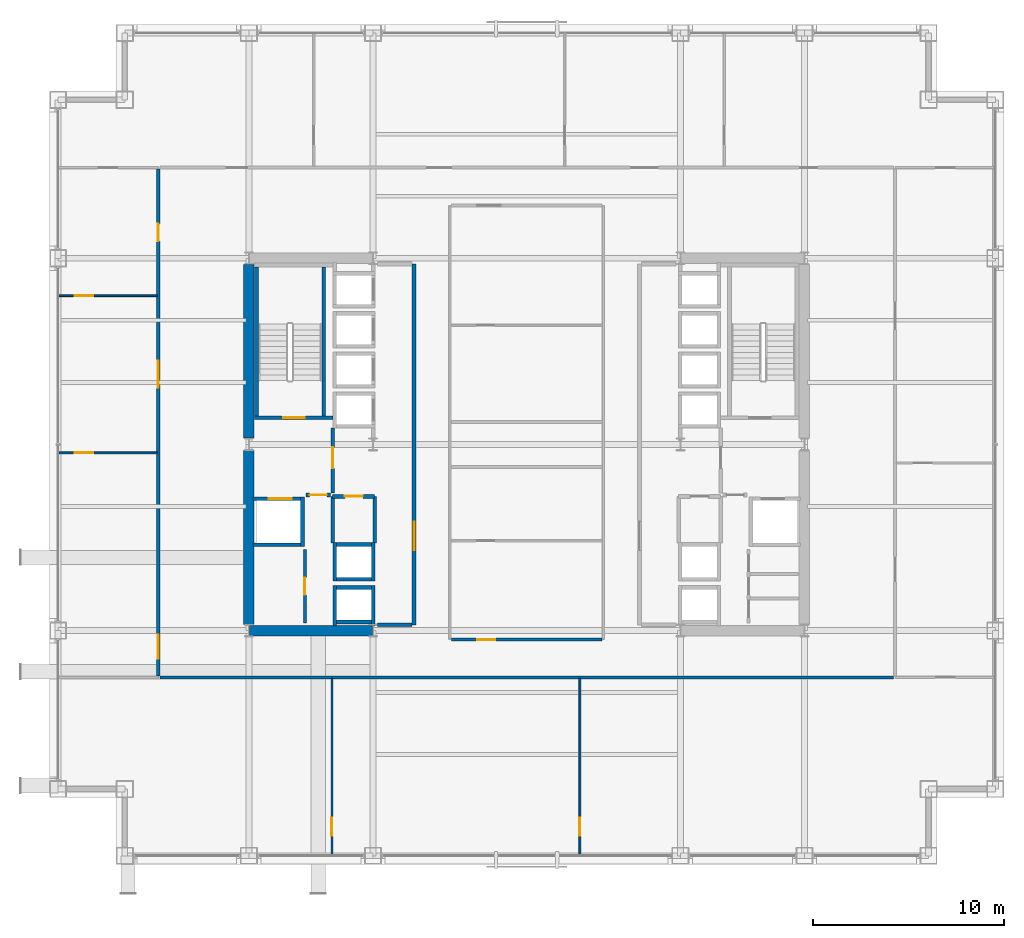
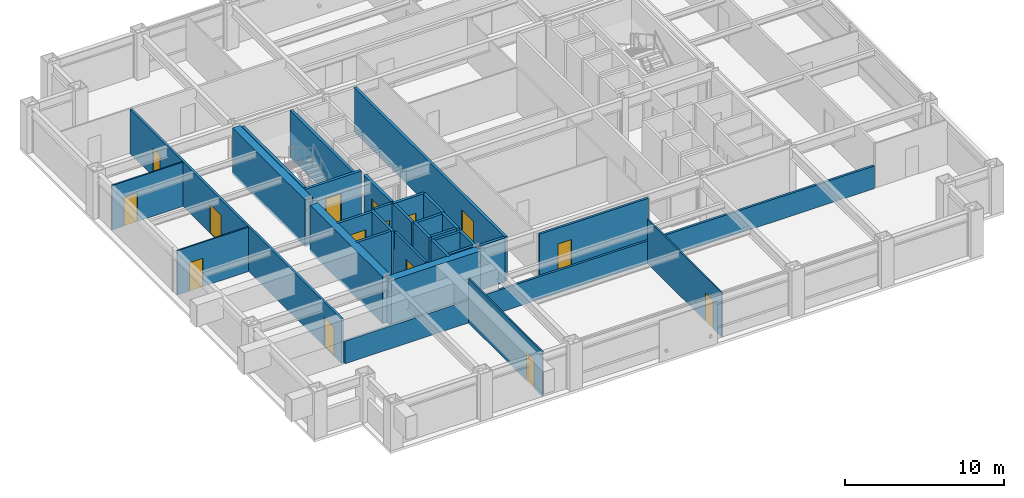
# One storey, part 25 of 29: 32 walls, 15 doors, 15 openings.
"""IFC4 building model written with IfcOpenShell, lengths in metres."""

from ifc_helpers import new_model, si_unit, direction, frame, frame_2d, origin, place, context, subcontext, project, spatial, rectangle, extrude, material, layer, layer_set, type_object, element, fill, save


model = new_model("IFC4")

# Units and contexts
model_context = context("Model", 3, precision=1e-05, world=origin(), true_north=direction((0.0, 1.0)))
body_context = subcontext(model_context, "Body", "Model", "MODEL_VIEW")
ifc_project = project(units=[si_unit("LENGTHUNIT", "METRE"), si_unit("AREAUNIT", "SQUARE_METRE"), si_unit("VOLUMEUNIT", "CUBIC_METRE"), si_unit("PLANEANGLEUNIT", "RADIAN"), si_unit("MASSUNIT", "GRAM", prefix="KILO")], contexts=[model_context])

# Site, building, storey
site_placement = place(None, origin())
site = spatial("IfcSite", under=ifc_project, at=site_placement, CompositionType="ELEMENT")
building_placement = place(site_placement, origin())
building = spatial("IfcBuilding", under=site, at=building_placement, Name="Brelmoor Portico Tower", CompositionType="ELEMENT")
storey_placement = place(building_placement, frame((0.0, 0.0, 52.800048828125)))
storey = spatial("IfcBuildingStorey", under=building, at=storey_placement, Name="L13", CompositionType="ELEMENT", Elevation=52.800048828125)

# Walls
ifc_material_1 = material(Name="Concrete C60", Category="concrete")
ifc_layer_1 = layer(ifc_material_1, 0.550048828125)
ifc_layer_set_1 = layer_set([ifc_layer_1], Name="Concrete C60")
wall_type_1 = type_object("IfcWallType", Name="WL-CORE-550", PredefinedType="SHEAR", material=ifc_layer_set_1)
wall_1_placement = place(storey_placement, frame((-14.530029296875, -9.75, -0.199951171875), z_axis=(0.0, 0.0, 1.0), x_axis=(1.0, 0.0, 0.0)))
element("IfcWall", 1, at=wall_1_placement, inside=storey, type_object=wall_type_1, Name="L13 WC South Shear Wall", PredefinedType="SHEAR", context=body_context, shape_type="SweptSolid", body=[
    extrude(rectangle(XDim=6.4599609375, YDim=0.550048828125, at=frame_2d((3.22998046875, 0.0))), origin(), (0.0, 0.0, 1.0), 3.599853515625),
])
for number, where, z_axis, x_axis, name in (
    (2, (-14.550048828125, -9.425048828125, -0.199951171875), (0.0, 0.0, 1.0), (0.0, 1.0, 0.0), "L13 WC Outer South Shear Wall"),
    (3, (-14.550048828125, 0.324951171875, -0.199951171875), (0.0, 0.0, 1.0), (0.0, 1.0, 0.0), "L13 WC Outer North Shear Wall"),
):
    element("IfcWall", number, at=place(storey_placement, frame(where, z_axis=z_axis, x_axis=x_axis)), inside=storey, type_object=wall_type_1, Name=name, PredefinedType="SHEAR", context=body_context, shape_type="SweptSolid", body=[
        extrude(rectangle(XDim=9.10009765625, YDim=0.550048828125, at=frame_2d((4.550048828125, 0.0))), origin(), (0.0, 0.0, 1.0), 3.599853515625),
    ])

# Wall, opening, door
ifc_material_2 = material(Name="Demountable Glazed Office Partition", Category="aluminium")
ifc_layer_2 = layer(ifc_material_2, 0.10009765625)
ifc_layer_set_2 = layer_set([ifc_layer_2], Name="Demountable Glazed Office Partition")
wall_type_2 = type_object("IfcWallType", Name="WL-PART-100", PredefinedType="PARTITIONING", material=ifc_layer_set_2)
wall_2_placement = place(storey_placement, frame((-10.199951171875, -21.56005859375, 0.0), z_axis=(0.0, 0.0, 1.0), x_axis=(0.0, 1.0, 0.0)))
wall_2 = element("IfcWall", 4, at=wall_2_placement, inside=storey, type_object=wall_type_2, Name="L13 South Suite Partition 1", PredefinedType="PARTITIONING", context=body_context, shape_type="SweptSolid", body=[
    extrude(rectangle(XDim=9.300048828125, YDim=0.10009765625, at=frame_2d((4.64990234375, 0.0))), origin(), (0.0, 0.0, 1.0), 3.39990234375),
])
opening_1_placement = place(wall_2_placement, frame((1.050048828125, 0.0, 0.0)))
opening_1 = element("IfcOpeningElement", 5, at=opening_1_placement, cuts=wall_2, Name="Opening D-IN2", PredefinedType="OPENING", context=body_context, shape_type="SweptSolid", body=[
    extrude(rectangle(XDim=0.9599609375, YDim=2.179931640625, at=frame_2d((0.47998046875, 1.08984375))), frame((0.0, 0.06005859375, 0.0), z_axis=(0.0, -1.0, 0.0), x_axis=(1.0, 0.0, 0.0)), (0.0, 0.0, 1.0), 0.1201171875),
])
ifc_material_3 = material(Name="Lacquered Timber Suite Door", Category="wood")
door_type_1 = type_object("IfcDoorType", Name="DR-INT-950", OperationType="NOTDEFINED", PredefinedType="DOOR", material=ifc_material_3)
door_1_placement = place(opening_1_placement, origin())
door_1 = element("IfcDoor", 6, at=door_1_placement, inside=storey, type_object=door_type_1, Name="D-0600 L13 South Suite Connecting Door 1", OperationType="SINGLE_SWING_RIGHT", OverallHeight=2.179931640625, OverallWidth=0.9599609375, PredefinedType="DOOR", context=body_context, shape_type="SweptSolid", body=[
    extrude(rectangle(XDim=0.9599609375, YDim=2.179931640625, at=frame_2d((0.47998046875, 1.08984375))), frame((0.0, 0.02490234375, 0.0), z_axis=(0.0, -1.0, 0.0), x_axis=(1.0, 0.0, 0.0)), (0.0, 0.0, 1.0), 0.050048828125),
])
fill(opening_1, door_1)

wall_3_placement = place(storey_placement, frame((2.787353515625, -21.56005859375, 0.0), z_axis=(0.0, 0.0, 1.0), x_axis=(0.0, 1.0, 0.0)))
wall_3 = element("IfcWall", 7, at=wall_3_placement, inside=storey, type_object=wall_type_2, Name="L13 South Suite Partition 2", PredefinedType="PARTITIONING", context=body_context, shape_type="SweptSolid", body=[
    extrude(rectangle(XDim=9.300048828125, YDim=0.10009765625, at=frame_2d((4.64990234375, 0.0))), origin(), (0.0, 0.0, 1.0), 3.39990234375),
])
opening_2_placement = place(wall_3_placement, frame((1.050048828125, 0.0, 0.0)))
opening_2 = element("IfcOpeningElement", 8, at=opening_2_placement, cuts=wall_3, Name="Opening D-IN2", PredefinedType="OPENING", context=body_context, shape_type="SweptSolid", body=[
    extrude(rectangle(XDim=0.9599609375, YDim=2.179931640625, at=frame_2d((0.47998046875, 1.08984375))), frame((0.0, 0.06005859375, 0.0), z_axis=(0.0, -1.0, 0.0), x_axis=(1.0, 0.0, 0.0)), (0.0, 0.0, 1.0), 0.1201171875),
])
door_2_placement = place(opening_2_placement, origin())
door_2 = element("IfcDoor", 9, at=door_2_placement, inside=storey, type_object=door_type_1, Name="D-0601 L13 South Suite Connecting Door 2", OperationType="SINGLE_SWING_LEFT", OverallHeight=2.179931640625, OverallWidth=0.9599609375, PredefinedType="DOOR", context=body_context, shape_type="SweptSolid", body=[
    extrude(rectangle(XDim=0.9599609375, YDim=2.179931640625, at=frame_2d((0.47998046875, 1.08984375))), frame((0.0, 0.02490234375, 0.0), z_axis=(0.0, -1.0, 0.0), x_axis=(1.0, 0.0, 0.0)), (0.0, 0.0, 1.0), 0.050048828125),
])
fill(opening_2, door_2)

wall_4_placement = place(storey_placement, frame((-24.56005859375, -0.4423828125, 0.0), z_axis=(0.0, 0.0, 1.0), x_axis=(1.0, 0.0, 0.0)))
wall_4 = element("IfcWall", 10, at=wall_4_placement, inside=storey, type_object=wall_type_2, Name="L13 W Wing Partition 1", PredefinedType="PARTITIONING", context=body_context, shape_type="SweptSolid", body=[
    extrude(rectangle(XDim=5.199951171875, YDim=0.10009765625, at=frame_2d((2.60009765625, 0.0))), origin(), (0.0, 0.0, 1.0), 3.39990234375),
])
opening_3_placement = place(wall_4_placement, frame((0.89990234375, 0.0, 0.0)))
opening_3 = element("IfcOpeningElement", 11, at=opening_3_placement, cuts=wall_4, Name="Opening D-IN2", PredefinedType="OPENING", context=body_context, shape_type="SweptSolid", body=[
    extrude(rectangle(XDim=0.9599609375, YDim=2.179931640625, at=frame_2d((0.47998046875, 1.08984375))), frame((0.0, 0.06005859375, 0.0), z_axis=(0.0, -1.0, 0.0), x_axis=(1.0, 0.0, 0.0)), (0.0, 0.0, 1.0), 0.1201171875),
])
door_3_placement = place(opening_3_placement, origin())
door_3 = element("IfcDoor", 12, at=door_3_placement, inside=storey, type_object=door_type_1, Name="D-0611 L13 W Wing Suite Connecting Door 1", OperationType="SINGLE_SWING_LEFT", OverallHeight=2.179931640625, OverallWidth=0.9599609375, PredefinedType="DOOR", context=body_context, shape_type="SweptSolid", body=[
    extrude(rectangle(XDim=0.9599609375, YDim=2.179931640625, at=frame_2d((0.47998046875, 1.08984375))), frame((0.0, 0.02490234375, 0.0), z_axis=(0.0, -1.0, 0.0), x_axis=(1.0, 0.0, 0.0)), (0.0, 0.0, 1.0), 0.050048828125),
])
fill(opening_3, door_3)

wall_5_placement = place(storey_placement, frame((-24.56005859375, 7.784912109375, 0.0), z_axis=(0.0, 0.0, 1.0), x_axis=(1.0, 0.0, 0.0)))
wall_5 = element("IfcWall", 13, at=wall_5_placement, inside=storey, type_object=wall_type_2, Name="L13 W Wing Partition 2", PredefinedType="PARTITIONING", context=body_context, shape_type="SweptSolid", body=[
    extrude(rectangle(XDim=5.199951171875, YDim=0.10009765625, at=frame_2d((2.60009765625, 0.0))), origin(), (0.0, 0.0, 1.0), 3.39990234375),
])
opening_4_placement = place(wall_5_placement, frame((0.89990234375, 0.0, 0.0)))
opening_4 = element("IfcOpeningElement", 14, at=opening_4_placement, cuts=wall_5, Name="Opening D-IN2", PredefinedType="OPENING", context=body_context, shape_type="SweptSolid", body=[
    extrude(rectangle(XDim=0.9599609375, YDim=2.179931640625, at=frame_2d((0.47998046875, 1.08984375))), frame((0.0, 0.06005859375, 0.0), z_axis=(0.0, -1.0, 0.0), x_axis=(1.0, 0.0, 0.0)), (0.0, 0.0, 1.0), 0.1201171875),
])
door_4_placement = place(opening_4_placement, origin())
door_4 = element("IfcDoor", 15, at=door_4_placement, inside=storey, type_object=door_type_1, Name="D-0612 L13 W Wing Suite Connecting Door 2", OperationType="SINGLE_SWING_RIGHT", OverallHeight=2.179931640625, OverallWidth=0.9599609375, PredefinedType="DOOR", context=body_context, shape_type="SweptSolid", body=[
    extrude(rectangle(XDim=0.9599609375, YDim=2.179931640625, at=frame_2d((0.47998046875, 1.08984375))), frame((0.0, 0.02490234375, 0.0), z_axis=(0.0, -1.0, 0.0), x_axis=(1.0, 0.0, 0.0)), (0.0, 0.0, 1.0), 0.050048828125),
])
fill(opening_4, door_4)

ifc_material_4 = material(Name="Twin-Frame Acoustic Partition", Category="gypsum")
ifc_layer_3 = layer(ifc_material_4, 0.159912109375)
ifc_layer_set_3 = layer_set([ifc_layer_3], Name="Twin-Frame Acoustic Partition")
wall_type_3 = type_object("IfcWallType", Name="WL-PART-160", PredefinedType="PARTITIONING", material=ifc_layer_set_3)
wall_6_placement = place(storey_placement, frame((-11.6201171875, -9.35009765625, 0.0), z_axis=(0.0, 0.0, 1.0), x_axis=(0.0, 1.0, 0.0)))
wall_6 = element("IfcWall", 16, at=wall_6_placement, inside=storey, type_object=wall_type_3, Name="L13 W Core Service Front Wall", PredefinedType="PARTITIONING", context=body_context, shape_type="SweptSolid", body=[
    extrude(rectangle(XDim=3.85009765625, YDim=0.159912109375, at=frame_2d((1.925048828125, 0.0))), origin(), (0.0, 0.0, 1.0), 3.39990234375),
])
opening_5_placement = place(wall_6_placement, frame((1.47509765625, 0.0, 0.0)))
opening_5 = element("IfcOpeningElement", 17, at=opening_5_placement, cuts=wall_6, Name="Opening D-IN1", PredefinedType="OPENING", context=body_context, shape_type="SweptSolid", body=[
    extrude(rectangle(XDim=0.89990234375, YDim=2.14990234375, at=frame_2d((0.449951171875, 1.074951171875))), frame((0.0, 0.08984375, 0.0), z_axis=(0.0, -1.0, 0.0), x_axis=(1.0, 0.0, 0.0)), (0.0, 0.0, 1.0), 0.179931640625),
])
door_type_2 = type_object("IfcDoorType", Name="DR-INT-900", OperationType="NOTDEFINED", PredefinedType="DOOR", material=ifc_material_3)
door_5_placement = place(opening_5_placement, origin())
door_5 = element("IfcDoor", 18, at=door_5_placement, inside=storey, type_object=door_type_2, Name="D-0584 L13 W Accessible WC Door", OperationType="SINGLE_SWING_LEFT", OverallHeight=2.14990234375, OverallWidth=0.89990234375, PredefinedType="DOOR", context=body_context, shape_type="SweptSolid", body=[
    extrude(rectangle(XDim=0.89990234375, YDim=2.14990234375, at=frame_2d((0.449951171875, 1.074951171875))), frame((0.0, 0.02490234375, 0.0), z_axis=(0.0, -1.0, 0.0), x_axis=(1.0, 0.0, 0.0)), (0.0, 0.0, 1.0), 0.050048828125),
])
fill(opening_5, door_5)

wall_7_placement = place(storey_placement, frame((-3.949951171875, -10.219970703125, 0.0), z_axis=(0.0, 0.0, 1.0), x_axis=(1.0, 0.0, 0.0)))
wall_7 = element("IfcWall", 19, at=wall_7_placement, inside=storey, type_object=wall_type_3, Name="L13 Central Pantry Corridor Wall", PredefinedType="PARTITIONING", context=body_context, shape_type="SweptSolid", body=[
    extrude(rectangle(XDim=7.89990234375, YDim=0.159912109375, at=frame_2d((3.949951171875, 0.0))), origin(), (0.0, 0.0, 1.0), 3.39990234375),
])
opening_6_placement = place(wall_7_placement, frame((1.35009765625, 0.0, 0.0)))
opening_6 = element("IfcOpeningElement", 20, at=opening_6_placement, cuts=wall_7, Name="Opening D-IN2", PredefinedType="OPENING", context=body_context, shape_type="SweptSolid", body=[
    extrude(rectangle(XDim=0.9599609375, YDim=2.179931640625, at=frame_2d((0.47998046875, 1.08984375))), frame((0.0, 0.08984375, 0.0), z_axis=(0.0, -1.0, 0.0), x_axis=(1.0, 0.0, 0.0)), (0.0, 0.0, 1.0), 0.179931640625),
])
door_6_placement = place(opening_6_placement, origin())
door_6 = element("IfcDoor", 21, at=door_6_placement, inside=storey, type_object=door_type_1, Name="D-0577 L13 Staff Pantry Door", OperationType="SINGLE_SWING_LEFT", OverallHeight=2.179931640625, OverallWidth=0.9599609375, PredefinedType="DOOR", context=body_context, shape_type="SweptSolid", body=[
    extrude(rectangle(XDim=0.9599609375, YDim=2.179931640625, at=frame_2d((0.47998046875, 1.08984375))), frame((0.0, 0.02490234375, 0.0), z_axis=(0.0, -1.0, 0.0), x_axis=(1.0, 0.0, 0.0)), (0.0, 0.0, 1.0), 0.050048828125),
])
fill(opening_6, door_6)

# Wall
wall_8_placement = place(storey_placement, frame((-19.199951171875, -12.199951171875, 0.0), z_axis=(0.0, 0.0, 1.0), x_axis=(1.0, 0.0, 0.0)))
element("IfcWall", 22, at=wall_8_placement, inside=storey, type_object=wall_type_3, Name="L13 South Corridor Partition", PredefinedType="PARTITIONING", context=body_context, shape_type="SweptSolid", body=[
    extrude(rectangle(XDim=38.39990234375, YDim=0.159912109375, at=frame_2d((19.199951171875, 0.0))), origin(), (0.0, 0.0, 1.0), 1.739990234375),
])

# Wall, openings, doors
wall_9_placement = place(storey_placement, frame((-19.300048828125, -12.1201171875, 0.0), z_axis=(0.0, 0.0, 1.0), x_axis=(0.0, 1.0, 0.0)))
wall_9 = element("IfcWall", 23, at=wall_9_placement, inside=storey, type_object=wall_type_3, Name="L13 W Wing Corridor Wall", PredefinedType="PARTITIONING", context=body_context, shape_type="SweptSolid", body=[
    extrude(rectangle(XDim=26.5400390625, YDim=0.159912109375, at=frame_2d((13.27001953125, 0.0))), origin(), (0.0, 0.0, 1.0), 3.39990234375),
])
opening_7_placement = place(wall_9_placement, frame((0.89990234375, 0.0, 0.0)))
opening_7 = element("IfcOpeningElement", 24, at=opening_7_placement, cuts=wall_9, Name="Opening D-SU1", PredefinedType="OPENING", context=body_context, shape_type="SweptSolid", body=[
    extrude(rectangle(XDim=1.239990234375, YDim=2.239990234375, at=frame_2d((0.6201171875, 1.1201171875))), frame((0.0, 0.08984375, 0.0), z_axis=(0.0, -1.0, 0.0), x_axis=(1.0, 0.0, 0.0)), (0.0, 0.0, 1.0), 0.179931640625),
])
opening_8_placement = place(wall_9_placement, frame((15.09130859375, 0.0, 0.0)))
opening_8 = element("IfcOpeningElement", 25, at=opening_8_placement, cuts=wall_9, Name="Opening D-SU2", PredefinedType="OPENING", context=body_context, shape_type="SweptSolid", body=[
    extrude(rectangle(XDim=1.39990234375, YDim=2.199951171875, at=frame_2d((0.699951171875, 1.10009765625))), frame((0.0, 0.08984375, 0.0), z_axis=(0.0, -1.0, 0.0), x_axis=(1.0, 0.0, 0.0)), (0.0, 0.0, 1.0), 0.179931640625),
])
opening_9_placement = place(wall_9_placement, frame((22.7724609375, 0.0, 0.0)))
opening_9 = element("IfcOpeningElement", 26, at=opening_9_placement, cuts=wall_9, Name="Opening D-IN1", PredefinedType="OPENING", context=body_context, shape_type="SweptSolid", body=[
    extrude(rectangle(XDim=0.89990234375, YDim=2.14990234375, at=frame_2d((0.449951171875, 1.074951171875))), frame((0.0, 0.08984375, 0.0), z_axis=(0.0, -1.0, 0.0), x_axis=(1.0, 0.0, 0.0)), (0.0, 0.0, 1.0), 0.179931640625),
])
door_7_placement = place(opening_9_placement, origin())
door_7 = element("IfcDoor", 27, at=door_7_placement, inside=storey, type_object=door_type_2, Name="D-0610 L13 W Project Mail and Print Room 3 Door", OperationType="SINGLE_SWING_RIGHT", OverallHeight=2.14990234375, OverallWidth=0.89990234375, PredefinedType="DOOR", context=body_context, shape_type="SweptSolid", body=[
    extrude(rectangle(XDim=0.89990234375, YDim=2.14990234375, at=frame_2d((0.449951171875, 1.074951171875))), frame((0.0, 0.02490234375, 0.0), z_axis=(0.0, -1.0, 0.0), x_axis=(1.0, 0.0, 0.0)), (0.0, 0.0, 1.0), 0.050048828125),
])
fill(opening_9, door_7)
ifc_material_5 = material(Name="Glazed Timber Executive Suite Door", Category="wood")
door_type_3 = type_object("IfcDoorType", Name="DR-SUITE-1200", OperationType="NOTDEFINED", PredefinedType="DOOR", material=ifc_material_5)
door_8_placement = place(opening_7_placement, origin())
door_8 = element("IfcDoor", 28, at=door_8_placement, inside=storey, type_object=door_type_3, Name="D-0608 L13 W Cellular Office 1 Door", OperationType="SINGLE_SWING_LEFT", OverallHeight=2.239990234375, OverallWidth=1.239990234375, PredefinedType="DOOR", context=body_context, shape_type="SweptSolid", body=[
    extrude(rectangle(XDim=1.239990234375, YDim=2.239990234375, at=frame_2d((0.6201171875, 1.1201171875))), frame((0.0, 0.02490234375, 0.0), z_axis=(0.0, -1.0, 0.0), x_axis=(1.0, 0.0, 0.0)), (0.0, 0.0, 1.0), 0.050048828125),
])
fill(opening_7, door_8)
ifc_material_6 = material(Name="Double-Leaf Acoustic Suite Door", Category="timber")
door_type_4 = type_object("IfcDoorType", Name="DR-SUITE-1400", OperationType="NOTDEFINED", PredefinedType="DOOR", material=ifc_material_6)
door_9_placement = place(opening_8_placement, origin())
door_9 = element("IfcDoor", 29, at=door_9_placement, inside=storey, type_object=door_type_4, Name="D-0609 L13 W Technical Storage Room 2 Door", OperationType="DOUBLE_DOOR_SINGLE_SWING", OverallHeight=2.199951171875, OverallWidth=1.39990234375, PredefinedType="DOOR", context=body_context, shape_type="SweptSolid", body=[
    extrude(rectangle(XDim=1.39990234375, YDim=2.199951171875, at=frame_2d((0.699951171875, 1.10009765625))), frame((0.0, 0.02490234375, 0.0), z_axis=(0.0, -1.0, 0.0), x_axis=(1.0, 0.0, 0.0)), (0.0, 0.0, 1.0), 0.050048828125),
])
fill(opening_8, door_9)

# Wall, opening, door
ifc_material_7 = material(Name="Double-Stud Gypsum Fire Partition", Category="gypsum")
ifc_layer_4 = layer(ifc_material_7, 0.199951171875)
ifc_layer_set_4 = layer_set([ifc_layer_4], Name="Double-Stud Gypsum Fire Partition")
wall_type_4 = type_object("IfcWallType", Name="WL-PART-200", PredefinedType="PARTITIONING", material=ifc_layer_set_4)
wall_10_placement = place(storey_placement, frame((-5.89990234375, -9.449951171875, 0.0), z_axis=(0.0, 0.0, 1.0), x_axis=(0.0, 1.0, 0.0)))
wall_10 = element("IfcWall", 30, at=wall_10_placement, inside=storey, type_object=wall_type_4, Name="L13 W Core Lobby Compartment Wall", PredefinedType="PARTITIONING", context=body_context, shape_type="SweptSolid", body=[
    extrude(rectangle(XDim=18.89990234375, YDim=0.199951171875, at=frame_2d((9.449951171875, 0.0))), origin(), (0.0, 0.0, 1.0), 3.39990234375),
])
opening_10_placement = place(wall_10_placement, frame((3.89990234375, 0.0, 0.0)))
opening_10 = element("IfcOpeningElement", 31, at=opening_10_placement, cuts=wall_10, Name="Opening D-LB1", PredefinedType="OPENING", context=body_context, shape_type="SweptSolid", body=[
    extrude(rectangle(XDim=1.5, YDim=2.199951171875, at=frame_2d((0.75, 1.10009765625))), frame((0.0, 0.10986328125, 0.0), z_axis=(0.0, -1.0, 0.0), x_axis=(1.0, 0.0, 0.0)), (0.0, 0.0, 1.0), 0.219970703125),
])
ifc_material_8 = material(Name="Double-Leaf Glazed Steel Fire Door", Category="steel")
door_type_5 = type_object("IfcDoorType", Name="DR-LOBBY-1500", OperationType="NOTDEFINED", PredefinedType="DOOR", material=ifc_material_8)
door_10_placement = place(opening_10_placement, origin())
door_10 = element("IfcDoor", 32, at=door_10_placement, inside=storey, type_object=door_type_5, Name="D-0590 L13 W Lift Lobby Main Door", OperationType="DOUBLE_DOOR_SINGLE_SWING", OverallHeight=2.199951171875, OverallWidth=1.5, PredefinedType="DOOR", context=body_context, shape_type="SweptSolid", body=[
    extrude(rectangle(XDim=1.5, YDim=2.199951171875, at=frame_2d((0.75, 1.10009765625))), frame((0.0, 0.02490234375, 0.0), z_axis=(0.0, -1.0, 0.0), x_axis=(1.0, 0.0, 0.0)), (0.0, 0.0, 1.0), 0.050048828125),
])
fill(opening_10, door_10)

# Wall
wall_11_placement = place(storey_placement, frame((-6.02001953125, -9.449951171875, 0.0), z_axis=(0.0, 0.0, 1.0), x_axis=(-1.0, 0.0, 0.0)))
element("IfcWall", 33, at=wall_11_placement, inside=storey, type_object=wall_type_4, Name="L13 W Lift Lobby South End Wall", PredefinedType="PARTITIONING", context=body_context, shape_type="SweptSolid", body=[
    extrude(rectangle(XDim=1.800048828125, YDim=0.199951171875, at=frame_2d((0.89990234375, 0.0))), origin(), (0.0, 0.0, 1.0), 3.39990234375),
])

# Wall, opening, door
wall_12_placement = place(storey_placement, frame((-10.159912109375, -2.550048828125, 0.0), z_axis=(0.0, 0.0, 1.0), x_axis=(0.0, 1.0, 0.0)))
wall_12 = element("IfcWall", 34, at=wall_12_placement, inside=storey, type_object=wall_type_4, Name="L13 W Firefighting Lobby Wall", PredefinedType="PARTITIONING", context=body_context, shape_type="SweptSolid", body=[
    extrude(rectangle(XDim=3.400146484375, YDim=0.199951171875, at=frame_2d((1.7001953125, 0.0))), origin(), (0.0, 0.0, 1.0), 3.39990234375),
])
opening_11_placement = place(wall_12_placement, frame((1.300048828125, 0.0, 0.0)))
opening_11 = element("IfcOpeningElement", 35, at=opening_11_placement, cuts=wall_12, Name="Opening D-FR1", PredefinedType="OPENING", context=body_context, shape_type="SweptSolid", body=[
    extrude(rectangle(XDim=1.10009765625, YDim=2.14990234375, at=frame_2d((0.550048828125, 1.074951171875))), frame((0.0, 0.10986328125, 0.0), z_axis=(0.0, -1.0, 0.0), x_axis=(1.0, 0.0, 0.0)), (0.0, 0.0, 1.0), 0.219970703125),
])
ifc_material_9 = material(Name="Painted Galvanised Steel Fire Door", Category="steel")
door_type_6 = type_object("IfcDoorType", Name="DR-FIRE-1100", OperationType="NOTDEFINED", PredefinedType="DOOR", material=ifc_material_9)
door_11_placement = place(opening_11_placement, origin())
door_11 = element("IfcDoor", 36, at=door_11_placement, inside=storey, type_object=door_type_6, Name="D-0588 L13 W Firefighting Lobby Door", OperationType="SINGLE_SWING_RIGHT", OverallHeight=2.14990234375, OverallWidth=1.10009765625, PredefinedType="DOOR", context=body_context, shape_type="SweptSolid", body=[
    extrude(rectangle(XDim=1.10009765625, YDim=2.14990234375, at=frame_2d((0.550048828125, 1.074951171875))), frame((0.0, 0.02490234375, 0.0), z_axis=(0.0, -1.0, 0.0), x_axis=(1.0, 0.0, 0.0)), (0.0, 0.0, 1.0), 0.050048828125),
])
fill(opening_11, door_11)

wall_13_placement = place(storey_placement, frame((-10.280029296875, -2.64990234375, 0.0), z_axis=(0.0, 0.0, 1.0), x_axis=(-1.0, 0.0, 0.0)))
wall_13 = element("IfcWall", 37, at=wall_13_placement, inside=storey, type_object=wall_type_4, Name="L13 W Firefighting Lobby South Wall", PredefinedType="PARTITIONING", context=body_context, shape_type="SweptSolid", body=[
    extrude(rectangle(XDim=1.27001953125, YDim=0.199951171875, at=frame_2d((0.635009765625, 0.0))), origin(), (0.0, 0.0, 1.0), 3.39990234375),
])
opening_12_placement = place(wall_13_placement, frame((0.18505859375, 0.0, 0.0)))
opening_12 = element("IfcOpeningElement", 38, at=opening_12_placement, cuts=wall_13, Name="Opening D-IN1", PredefinedType="OPENING", context=body_context, shape_type="SweptSolid", body=[
    extrude(rectangle(XDim=0.89990234375, YDim=2.14990234375, at=frame_2d((0.449951171875, 1.074951171875))), frame((0.0, 0.10986328125, 0.0), z_axis=(0.0, -1.0, 0.0), x_axis=(1.0, 0.0, 0.0)), (0.0, 0.0, 1.0), 0.219970703125),
])
door_12_placement = place(opening_12_placement, origin())
door_12 = element("IfcDoor", 39, at=door_12_placement, inside=storey, type_object=door_type_2, Name="D-0583 L13 W Core Service Vestibule Door", OperationType="SINGLE_SWING_LEFT", OverallHeight=2.14990234375, OverallWidth=0.89990234375, PredefinedType="DOOR", context=body_context, shape_type="SweptSolid", body=[
    extrude(rectangle(XDim=0.89990234375, YDim=2.14990234375, at=frame_2d((0.449951171875, 1.074951171875))), frame((0.0, 0.02490234375, 0.0), z_axis=(0.0, -1.0, 0.0), x_axis=(1.0, 0.0, 0.0)), (0.0, 0.0, 1.0), 0.050048828125),
])
fill(opening_12, door_12)

wall_14_placement = place(storey_placement, frame((-7.9599609375, -2.719970703125, 0.0), z_axis=(0.0, 0.0, 1.0), x_axis=(-1.0, 0.0, 0.0)))
wall_14 = element("IfcWall", 40, at=wall_14_placement, inside=storey, type_object=wall_type_4, Name="L13 W Electrical Switchgear Closet Wall", PredefinedType="PARTITIONING", context=body_context, shape_type="SweptSolid", body=[
    extrude(rectangle(XDim=2.199951171875, YDim=0.199951171875, at=frame_2d((1.10009765625, 0.0))), origin(), (0.0, 0.0, 1.0), 3.39990234375),
])
opening_13_placement = place(wall_14_placement, frame((0.6201171875, 0.0, 0.0)))
opening_13 = element("IfcOpeningElement", 41, at=opening_13_placement, cuts=wall_14, Name="Opening D-FR4", PredefinedType="OPENING", context=body_context, shape_type="SweptSolid", body=[
    extrude(rectangle(XDim=0.949951171875, YDim=2.10009765625, at=frame_2d((0.47509765625, 1.050048828125))), frame((0.0, 0.10986328125, 0.0), z_axis=(0.0, -1.0, 0.0), x_axis=(1.0, 0.0, 0.0)), (0.0, 0.0, 1.0), 0.219970703125),
])
ifc_material_10 = material(Name="Painted Galvanised Steel Riser Door", Category="steel")
door_type_7 = type_object("IfcDoorType", Name="DR-FIRE-950", OperationType="NOTDEFINED", PredefinedType="DOOR", material=ifc_material_10)
door_13_placement = place(opening_13_placement, origin())
door_13 = element("IfcDoor", 42, at=door_13_placement, inside=storey, type_object=door_type_7, Name="D-0586 L13 W Electrical Switchgear Closet Door", OperationType="SINGLE_SWING_RIGHT", OverallHeight=2.10009765625, OverallWidth=0.949951171875, PredefinedType="DOOR", context=body_context, shape_type="SweptSolid", body=[
    extrude(rectangle(XDim=0.949951171875, YDim=2.10009765625, at=frame_2d((0.47509765625, 1.050048828125))), frame((0.0, 0.02490234375, 0.0), z_axis=(0.0, -1.0, 0.0), x_axis=(1.0, 0.0, 0.0)), (0.0, 0.0, 1.0), 0.050048828125),
])
fill(opening_13, door_13)

# Walls
for number, where, z_axis, x_axis, name in (
    (43, (-7.9599609375, -5.159912109375, 0.0), (0.0, 0.0, 1.0), (0.0, 1.0, 0.0), "L13 W Electrical Switchgear Closet Inner Wall"),
    (44, (-10.159912109375, -5.159912109375, 0.0), (0.0, 0.0, 1.0), (0.0, 1.0, 0.0), "L13 W Electrical Switchgear Closet Outer Wall"),
):
    element("IfcWall", number, at=place(storey_placement, frame(where, z_axis=z_axis, x_axis=x_axis)), inside=storey, type_object=wall_type_4, Name=name, PredefinedType="PARTITIONING", context=body_context, shape_type="SweptSolid", body=[
        extrude(rectangle(XDim=2.43994140625, YDim=0.199951171875, at=frame_2d((1.219970703125, 0.0))), origin(), (0.0, 0.0, 1.0), 3.39990234375),
    ])
ifc_material_11 = material(Name="Precast Concrete C40", Category="concrete")
ifc_layer_5 = layer(ifc_material_11, 0.18994140625)
ifc_layer_set_5 = layer_set([ifc_layer_5], Name="Precast Concrete C40")
wall_type_5 = type_object("IfcWallType", Name="WL-SHAFT-180", PredefinedType="SOLIDWALL", material=ifc_layer_set_5)
for number, where, z_axis, x_axis, name in (
    (45, (-8.044921875, -9.52001953125, -0.199951171875), (0.0, 0.0, 1.0), (0.0, 1.0, 0.0), "L13 Lift PH1 Hoistway Front Wall"),
    (46, (-10.054931640625, -9.52001953125, -0.199951171875), (0.0, 0.0, 1.0), (0.0, 1.0, 0.0), "L13 Lift PH1 Hoistway Back Wall"),
):
    element("IfcWall", number, at=place(storey_placement, frame(where, z_axis=z_axis, x_axis=x_axis)), inside=storey, type_object=wall_type_5, Name=name, PredefinedType="SOLIDWALL", context=body_context, shape_type="SweptSolid", body=[
        extrude(rectangle(XDim=2.1201171875, YDim=0.18994140625, at=frame_2d((1.06005859375, 0.0))), origin(), (0.0, 0.0, 1.0), 3.599853515625),
    ])
for number, where, z_axis, x_axis, name in (
    (47, (-10.14990234375, -7.4951171875, -0.199951171875), (0.0, 0.0, 1.0), (1.0, 0.0, 0.0), "L13 Lift PH1 Hoistway North Wall"),
    (48, (-10.14990234375, -9.304931640625, -0.199951171875), (0.0, 0.0, 1.0), (1.0, 0.0, 0.0), "L13 Lift PH1 Hoistway South Wall"),
):
    element("IfcWall", number, at=place(storey_placement, frame(where, z_axis=z_axis, x_axis=x_axis)), inside=storey, type_object=wall_type_5, Name=name, PredefinedType="SOLIDWALL", context=body_context, shape_type="SweptSolid", body=[
        extrude(rectangle(XDim=2.199951171875, YDim=0.18994140625, at=frame_2d((1.10009765625, 0.0))), origin(), (0.0, 0.0, 1.0), 3.599853515625),
    ])
for number, where, z_axis, x_axis, name in (
    (49, (-8.044921875, -7.14990234375, -0.199951171875), (0.0, 0.0, 1.0), (0.0, 1.0, 0.0), "L13 Lift PH2 Hoistway Front Wall"),
    (50, (-10.054931640625, -7.14990234375, -0.199951171875), (0.0, 0.0, 1.0), (0.0, 1.0, 0.0), "L13 Lift PH2 Hoistway Back Wall"),
):
    element("IfcWall", number, at=place(storey_placement, frame(where, z_axis=z_axis, x_axis=x_axis)), inside=storey, type_object=wall_type_5, Name=name, PredefinedType="SOLIDWALL", context=body_context, shape_type="SweptSolid", body=[
        extrude(rectangle(XDim=2.0, YDim=0.18994140625, at=frame_2d((1.0, 0.0))), origin(), (0.0, 0.0, 1.0), 3.599853515625),
    ])
for number, where, z_axis, x_axis, name in (
    (51, (-10.14990234375, -5.2451171875, -0.199951171875), (0.0, 0.0, 1.0), (1.0, 0.0, 0.0), "L13 Lift PH2 Hoistway North Wall"),
    (52, (-10.14990234375, -7.054931640625, -0.199951171875), (0.0, 0.0, 1.0), (1.0, 0.0, 0.0), "L13 Lift PH2 Hoistway South Wall"),
):
    element("IfcWall", number, at=place(storey_placement, frame(where, z_axis=z_axis, x_axis=x_axis)), inside=storey, type_object=wall_type_5, Name=name, PredefinedType="SOLIDWALL", context=body_context, shape_type="SweptSolid", body=[
        extrude(rectangle(XDim=2.199951171875, YDim=0.18994140625, at=frame_2d((1.10009765625, 0.0))), origin(), (0.0, 0.0, 1.0), 3.599853515625),
    ])

# Wall, opening, door
wall_15_placement = place(storey_placement, frame((-14.330078125, -2.844970703125, -0.199951171875), z_axis=(0.0, 0.0, 1.0), x_axis=(1.0, 0.0, 0.0)))
wall_15 = element("IfcWall", 53, at=wall_15_placement, inside=storey, type_object=wall_type_5, Name="L13 Lift FF1 Hoistway Front Wall", PredefinedType="SOLIDWALL", context=body_context, shape_type="SweptSolid", body=[
    extrude(rectangle(XDim=2.68017578125, YDim=0.18994140625, at=frame_2d((1.340087890625, 0.0))), origin(), (0.0, 0.0, 1.0), 3.599853515625),
])
opening_14_placement = place(wall_15_placement, frame((0.830078125, 0.0, 0.199951171875)))
opening_14 = element("IfcOpeningElement", 54, at=opening_14_placement, cuts=wall_15, Name="Opening LD-02", PredefinedType="OPENING", context=body_context, shape_type="SweptSolid", body=[
    extrude(rectangle(XDim=1.199951171875, YDim=2.199951171875, at=frame_2d((0.60009765625, 1.10009765625))), frame((0.0, 0.10498046875, 0.0), z_axis=(0.0, -1.0, 0.0), x_axis=(1.0, 0.0, 0.0)), (0.0, 0.0, 1.0), 0.2099609375),
])
ifc_material_12 = material(Name="Brushed Stainless Steel Firefighting Lift Door", Category="steel")
door_type_8 = type_object("IfcDoorType", Name="DR-LIFT-1200", OperationType="NOTDEFINED", PredefinedType="DOOR", material=ifc_material_12)
door_14_placement = place(opening_14_placement, origin())
door_14 = element("IfcDoor", 55, at=door_14_placement, inside=storey, type_object=door_type_8, Name="D-0613 L13 Lift FF1 Sliding Landing Door", OperationType="SLIDING_TO_LEFT", OverallHeight=2.199951171875, OverallWidth=1.199951171875, PredefinedType="DOOR", context=body_context, shape_type="SweptSolid", body=[
    extrude(rectangle(XDim=1.199951171875, YDim=2.199951171875, at=frame_2d((0.60009765625, 1.10009765625))), frame((0.0, 0.02490234375, 0.0), z_axis=(0.0, -1.0, 0.0), x_axis=(1.0, 0.0, 0.0)), (0.0, 0.0, 1.0), 0.050048828125),
])
fill(opening_14, door_14)

# Walls
wall_16_placement = place(storey_placement, frame((-14.330078125, -5.2548828125, -0.199951171875), z_axis=(0.0, 0.0, 1.0), x_axis=(1.0, 0.0, 0.0)))
element("IfcWall", 56, at=wall_16_placement, inside=storey, type_object=wall_type_5, Name="L13 Firefighting Lift FF1 South Wall", PredefinedType="SOLIDWALL", context=body_context, shape_type="SweptSolid", body=[
    extrude(rectangle(XDim=2.68017578125, YDim=0.18994140625, at=frame_2d((1.340087890625, 0.0))), origin(), (0.0, 0.0, 1.0), 3.599853515625),
])
wall_17_placement = place(storey_placement, frame((-11.7451171875, -5.35009765625, -0.199951171875), z_axis=(0.0, 0.0, 1.0), x_axis=(0.0, 1.0, 0.0)))
element("IfcWall", 57, at=wall_17_placement, inside=storey, type_object=wall_type_5, Name="L13 Firefighting Lift FF1 Inner Wall", PredefinedType="SOLIDWALL", context=body_context, shape_type="SweptSolid", body=[
    extrude(rectangle(XDim=2.60009765625, YDim=0.18994140625, at=frame_2d((1.300048828125, 0.0))), origin(), (0.0, 0.0, 1.0), 3.599853515625),
])
ifc_material_13 = material(Name="Concrete C40", Category="concrete")
ifc_layer_6 = layer(ifc_material_13, 0.199951171875)
ifc_layer_set_6 = layer_set([ifc_layer_6], Name="Concrete C40")
wall_type_6 = type_object("IfcWallType", Name="WL-SHAFT-RC200", PredefinedType="SOLIDWALL", material=ifc_layer_set_6)
wall_18_placement = place(storey_placement, frame((-14.14990234375, 1.5, -0.199951171875), z_axis=(0.0, 0.0, 1.0), x_axis=(0.0, 1.0, 0.0)))
element("IfcWall", 58, at=wall_18_placement, inside=storey, type_object=wall_type_6, Name="L13 ST-W Structural Stair Wall Outer", PredefinedType="SOLIDWALL", context=body_context, shape_type="SweptSolid", body=[
    extrude(rectangle(XDim=7.800048828125, YDim=0.199951171875, at=frame_2d((3.89990234375, 0.0))), origin(), (0.0, 0.0, 1.0), 3.599853515625),
])

# Wall, opening, door
wall_19_placement = place(storey_placement, frame((-14.25, 1.39990234375, -0.199951171875), z_axis=(0.0, 0.0, 1.0), x_axis=(1.0, 0.0, 0.0)))
wall_19 = element("IfcWall", 59, at=wall_19_placement, inside=storey, type_object=wall_type_6, Name="L13 ST-W Structural Stair Wall S", PredefinedType="SOLIDWALL", context=body_context, shape_type="SweptSolid", body=[
    extrude(rectangle(XDim=4.10009765625, YDim=0.199951171875, at=frame_2d((2.050048828125, 0.0))), origin(), (0.0, 0.0, 1.0), 3.599853515625),
])
opening_15_placement = place(wall_19_placement, frame((1.5, 0.0, 0.199951171875)))
opening_15 = element("IfcOpeningElement", 60, at=opening_15_placement, cuts=wall_19, Name="Opening D-ST1", PredefinedType="OPENING", context=body_context, shape_type="SweptSolid", body=[
    extrude(rectangle(XDim=1.1201171875, YDim=2.179931640625, at=frame_2d((0.56005859375, 1.08984375))), frame((0.0, 0.10986328125, 0.0), z_axis=(0.0, -1.0, 0.0), x_axis=(1.0, 0.0, 0.0)), (0.0, 0.0, 1.0), 0.219970703125),
])
door_type_9 = type_object("IfcDoorType", Name="DR-STAIR-1100", OperationType="NOTDEFINED", PredefinedType="DOOR", material=ifc_material_9)
door_15_placement = place(opening_15_placement, origin())
door_15 = element("IfcDoor", 61, at=door_15_placement, inside=storey, type_object=door_type_9, Name="D-0603 L13 ST-W Protected Exit Stair Door", OperationType="SINGLE_SWING_LEFT", OverallHeight=2.179931640625, OverallWidth=1.1201171875, PredefinedType="DOOR", context=body_context, shape_type="SweptSolid", body=[
    extrude(rectangle(XDim=1.1201171875, YDim=2.179931640625, at=frame_2d((0.56005859375, 1.08984375))), frame((0.0, 0.02490234375, 0.0), z_axis=(0.0, -1.0, 0.0), x_axis=(1.0, 0.0, 0.0)), (0.0, 0.0, 1.0), 0.050048828125),
])
fill(opening_15, door_15)

# Wall
wall_20_placement = place(storey_placement, frame((-10.6298828125, 1.5, -0.199951171875), z_axis=(0.0, 0.0, 1.0), x_axis=(0.0, 1.0, 0.0)))
element("IfcWall", 62, at=wall_20_placement, inside=storey, type_object=wall_type_6, Name="L13 ST-W Structural Stair Wall Inner", PredefinedType="SOLIDWALL", context=body_context, shape_type="SweptSolid", body=[
    extrude(rectangle(XDim=7.800048828125, YDim=0.199951171875, at=frame_2d((3.89990234375, 0.0))), origin(), (0.0, 0.0, 1.0), 3.599853515625),
])

save(model, "model.ifc")
